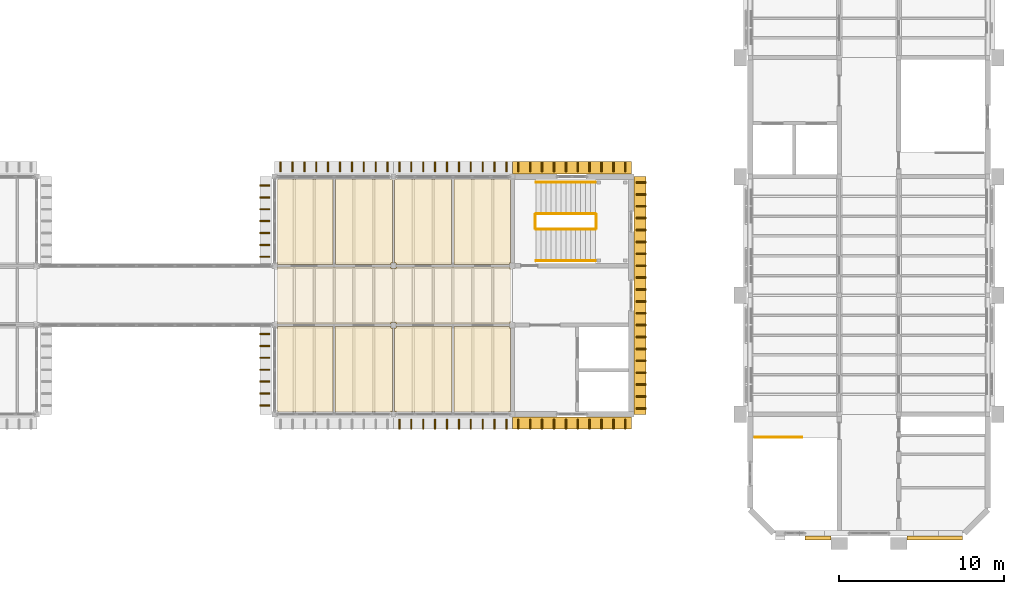
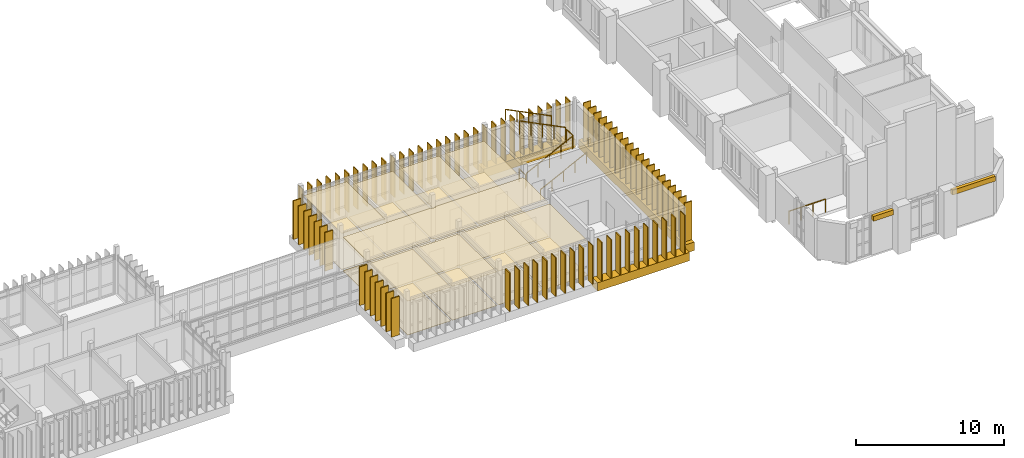
# One storey, part 65 of 71: 107 coverings, 7 railings.
"""IFC4 building model written with IfcOpenShell, lengths in metres."""

import ifcopenshell
import ifcopenshell.guid

model = None  # the IFC model being written
_history = None  # IfcOwnerHistory: only IFC2X3 demands one
_inside = {}  # id of a spatial element -> (the spatial element, [elements in it])
_under = {}  # id of a project, library or spatial element -> (it, [spatial elements below it])
_declared = {}  # id of a project -> (the project, [libraries it declares])
_typed = {}  # id of a type object -> (the type object, [elements of that type])
_made_of = {}  # id of a material, layer set ... -> (it, [elements and type objects made of it])


def new_model(schema):
    """Start an empty IFC model of exactly this schema.

    Asked for "IFC4X3", IfcOpenShell would pick the latest addendum, in which some entities
    have other attributes; the version numbers below select the first issue.
    IFC2X3 requires an IfcOwnerHistory on every rooted entity: one is made here for all.
    """
    global model, _history
    if schema == "IFC4X3":
        model = ifcopenshell.file(schema_version=(4, 3, 0, 0))
    else:
        model = ifcopenshell.file(schema=schema)
    _inside.clear()
    _under.clear()
    _declared.clear()
    _typed.clear()
    _made_of.clear()
    _history = None
    if model.schema == "IFC2X3":
        org = make("IfcOrganization", Name="unknown")
        user = make(
            "IfcPersonAndOrganization",
            ThePerson=make("IfcPerson", FamilyName="unknown"),
            TheOrganization=org,
        )
        app = make(
            "IfcApplication",
            ApplicationDeveloper=org,
            Version="unknown",
            ApplicationFullName="unknown",
            ApplicationIdentifier="unknown",
        )
        _history = make(
            "IfcOwnerHistory",
            OwningUser=user,
            OwningApplication=app,
            ChangeAction="ADDED",
            CreationDate=0,
        )
    return model


def make(cls, **values):
    """One entity of the class cls with the attributes given. An attribute that is None is left unset."""
    return model.create_entity(
        cls, **{name: value for name, value in values.items() if value is not None}
    )


def rooted(cls, **values):
    """An entity with a GlobalId (a new one), such as an element, a storey or a relation."""
    return make(cls, GlobalId=ifcopenshell.guid.new(), OwnerHistory=_history, **values)


def si_unit(unit_type, name, prefix=None):
    """IfcSIUnit, for example si_unit("LENGTHUNIT", "METRE", prefix="MILLI")."""
    return make("IfcSIUnit", UnitType=unit_type, Prefix=prefix, Name=name)


def assignment(units):
    """IfcUnitAssignment: the units of a project."""
    return None if units is None else make("IfcUnitAssignment", Units=units)


def point(xyz):
    """IfcCartesianPoint."""
    return None if xyz is None else make("IfcCartesianPoint", Coordinates=xyz)


def direction(xyz):
    """IfcDirection."""
    return None if xyz is None else make("IfcDirection", DirectionRatios=xyz)


def frame(location, z_axis=None, x_axis=None):
    """IfcAxis2Placement3D, a coordinate frame: its origin and axes. An axis left out is left unset."""
    return make(
        "IfcAxis2Placement3D",
        Location=point(location),
        Axis=direction(z_axis),
        RefDirection=direction(x_axis),
    )


def frame_2d(location, x_axis=None):
    """IfcAxis2Placement2D, a coordinate frame in the plane: its origin and x axis."""
    return make(
        "IfcAxis2Placement2D", Location=point(location), RefDirection=direction(x_axis)
    )


def origin():
    """The frame at (0, 0, 0) with its axes left unset."""
    return frame((0.0, 0.0, 0.0))


def origin_2d():
    """The frame at (0, 0) in the plane with its x axis left unset."""
    return frame_2d((0.0, 0.0))


def place(relative_to, where):
    """IfcLocalPlacement: puts the frame where relative to a parent placement (None: the world)."""
    return make(
        "IfcLocalPlacement", PlacementRelTo=relative_to, RelativePlacement=where
    )


def context(
    kind, dimensions, precision=None, world=None, true_north=None, identifier=None
):
    """IfcGeometricRepresentationContext, for example the 3D "Model" context."""
    return make(
        "IfcGeometricRepresentationContext",
        ContextIdentifier=identifier,
        ContextType=kind,
        CoordinateSpaceDimension=dimensions,
        Precision=precision,
        WorldCoordinateSystem=world,
        TrueNorth=true_north,
    )


def subcontext(parent, identifier, kind, view, scale=None):
    """IfcGeometricRepresentationSubContext, for example "Body" below "Model"."""
    return make(
        "IfcGeometricRepresentationSubContext",
        ContextIdentifier=identifier,
        ContextType=kind,
        ParentContext=parent,
        TargetScale=scale,
        TargetView=view,
    )


def project(units=None, contexts=None):
    """IfcProject with its units and contexts."""
    return rooted(
        "IfcProject",
        Name="project",
        RepresentationContexts=contexts,
        UnitsInContext=assignment(units),
    )


def spatial(cls, under=None, at=None, **own):
    """A site, building, storey or space (cls), placed at a placement, below another one or the project."""
    s = rooted(cls, ObjectPlacement=at, **own)
    if under is not None:
        _under.setdefault(under.id(), (under, []))[1].append(s)
    return s


def polyline(points):
    """IfcPolyline through the points."""
    return make("IfcPolyline", Points=[point(p) for p in points])


def profile(cls, at=None, kind="AREA", **sizes):
    """A parametric profile (cls). Its sizes go by their IFC names, for example OverallWidth=200.0."""
    return make(cls, ProfileType=kind, Position=at, **sizes)


def rectangle(**sizes):
    """IfcRectangleProfileDef."""
    return profile("IfcRectangleProfileDef", **sizes)


def circle(**sizes):
    """IfcCircleProfileDef."""
    return profile("IfcCircleProfileDef", **sizes)


def outline(outer, holes=None, kind="AREA"):
    """IfcArbitraryClosedProfileDef: a profile drawn as a closed curve; with holes, ...WithVoids."""
    if holes is None:
        return make("IfcArbitraryClosedProfileDef", ProfileType=kind, OuterCurve=outer)
    return make(
        "IfcArbitraryProfileDefWithVoids",
        ProfileType=kind,
        OuterCurve=outer,
        InnerCurves=holes,
    )


def extrude(swept, where, along, depth):
    """IfcExtrudedAreaSolid: the profile swept, set in the frame where, extruded along a direction by depth."""
    return make(
        "IfcExtrudedAreaSolid",
        SweptArea=swept,
        Position=where,
        ExtrudedDirection=direction(along),
        Depth=depth,
    )


def shape(context_of_items, identifier, shape_type, items):
    """IfcShapeRepresentation: the items that make up one representation, for example the "Body"."""
    return make(
        "IfcShapeRepresentation",
        ContextOfItems=context_of_items,
        RepresentationIdentifier=identifier,
        RepresentationType=shape_type,
        Items=items,
    )


def material(Name=None, Category=None):
    """IfcMaterial."""
    return make("IfcMaterial", Name=Name, Category=Category)


def layer(
    of_material, thickness, ventilated=None, Name=None, Category=None, Priority=None
):
    """IfcMaterialLayer: one layer of a wall or slab, of a material (None: an air gap)."""
    return make(
        "IfcMaterialLayer",
        Material=of_material,
        LayerThickness=thickness,
        IsVentilated=ventilated,
        Name=Name,
        Category=Category,
        Priority=Priority,
    )


def layer_set(layers, Name=None):
    """IfcMaterialLayerSet."""
    return make("IfcMaterialLayerSet", MaterialLayers=layers, LayerSetName=Name)


def made_of(thing, what):
    """Note that an element or type object is made of a material, layer set ...; save() writes the relation."""
    if what is not None:
        _made_of.setdefault(what.id(), (what, []))[1].append(thing)
    return thing


def type_object(cls, material=None, **own):
    """A type object (cls), such as IfcWallType, which elements share."""
    return made_of(rooted(cls, **own), material)


def element(
    cls,
    number,
    at=None,
    inside=None,
    cuts=None,
    type_object=None,
    material=None,
    context=None,
    identifier="Body",
    shape_type=None,
    held_by="IfcProductDefinitionShape",
    body=None,
    shapes=None,
    **own,
):
    """One element of the class cls, such as IfcWall. Its Tag is "e" and its number.

    at: its placement. inside: the storey or other place that contains it. cuts: it is an
    opening in that element (IfcRelVoidsElement). A single representation is given by context,
    identifier, shape_type and body (its items); several are given by shapes. held_by: the class
    of the entity that holds the representations. save() writes the other relations.
    """
    e = rooted(cls, Tag="e%d" % number, ObjectPlacement=at, **own)
    if body is not None:
        shapes = [shape(context, identifier, shape_type, body)]
    if shapes is not None:
        e.Representation = make(held_by, Representations=shapes)
    if inside is not None:
        _inside.setdefault(inside.id(), (inside, []))[1].append(e)
    if cuts is not None:
        rooted(
            "IfcRelVoidsElement", RelatingBuildingElement=cuts, RelatedOpeningElement=e
        )
    if type_object is not None:
        _typed.setdefault(type_object.id(), (type_object, []))[1].append(e)
    return made_of(e, material)


def aggregate(whole, parts):
    """IfcRelAggregates: a whole, such as a stair, and the parts it consists of."""
    return rooted("IfcRelAggregates", RelatingObject=whole, RelatedObjects=parts)


def save(model, path):
    """Write the relations noted so far, then the file.

    IfcRelAggregates (storeys below a building ...), IfcRelContainedInSpatialStructure (elements
    in a storey), IfcRelDefinesByType, IfcRelAssociatesMaterial and IfcRelDeclares: one each for
    every whole, place, type object, material and project.
    """
    for whole, parts in _under.values():
        aggregate(whole, parts)
    for where, things in _inside.values():
        rooted(
            "IfcRelContainedInSpatialStructure",
            RelatedElements=things,
            RelatingStructure=where,
        )
    for kind, things in _typed.values():
        rooted("IfcRelDefinesByType", RelatedObjects=things, RelatingType=kind)
    for what, things in _made_of.values():
        rooted("IfcRelAssociatesMaterial", RelatedObjects=things, RelatingMaterial=what)
    for by, libraries in _declared.values():
        rooted("IfcRelDeclares", RelatingContext=by, RelatedDefinitions=libraries)
    model.write(path)


model = new_model("IFC4")

# Units and contexts
model_context = context("Model", 3, precision=1e-05, world=origin(), true_north=direction((0.0, 1.0)))
body_context = subcontext(model_context, "Body", "Model", "MODEL_VIEW")
ifc_project = project(units=[si_unit("LENGTHUNIT", "METRE"), si_unit("AREAUNIT", "SQUARE_METRE"), si_unit("VOLUMEUNIT", "CUBIC_METRE"), si_unit("PLANEANGLEUNIT", "RADIAN"), si_unit("MASSUNIT", "GRAM", prefix="KILO")], contexts=[model_context])

# Site, building, storey
site_placement = place(None, origin())
site = spatial("IfcSite", under=ifc_project, at=site_placement, CompositionType="ELEMENT")
building_placement = place(site_placement, origin())
building = spatial("IfcBuilding", under=site, at=building_placement, Name="Mazhai Court Health Centre", CompositionType="ELEMENT")
storey_placement = place(building_placement, frame((0.0, 0.0, 10.199951171875)))
storey = spatial("IfcBuildingStorey", under=building, at=storey_placement, Name="L02", CompositionType="ELEMENT", Elevation=10.199951171875)

# Coverings
ifc_material_1 = material(Name="Clay brick masonry", Category="masonry")
ifc_layer_1 = layer(ifc_material_1, 0.25)
ifc_layer_set_1 = layer_set([ifc_layer_1], Name="BRICK BAND 250")
covering_type_1 = type_object("IfcCoveringType", Name="BRICK BAND 250", PredefinedType="MOLDING", material=ifc_layer_set_1)
covering_1_placement = place(storey_placement, frame((0.0, 0.0, 2.949951171875)))
element("IfcCovering", 1, at=covering_1_placement, inside=storey, type_object=covering_type_1, Name="EB-V6-L02-Sp1-1", PredefinedType="MOLDING", context=body_context, shape_type="SweptSolid", body=[
    extrude(outline(polyline([(140.699951171875, 6.034912109375), (139.1201171875, 6.034912109375), (139.1201171875, 5.784912109375), (140.699951171875, 5.784912109375), (140.699951171875, 6.034912109375)])), origin(), (0.0, 0.0, 1.0), 0.400146484375),
])
covering_2_placement = place(storey_placement, frame((0.0, 0.0, 2.949951171875)))
element("IfcCovering", 2, at=covering_2_placement, inside=storey, type_object=covering_type_1, Name="EB-V6-L02-Sp2-0", PredefinedType="MOLDING", context=body_context, shape_type="SweptSolid", body=[
    extrude(outline(polyline([(148.6689453125, 6.034912109375), (145.300048828125, 6.034912109375), (145.300048828125, 5.784912109375), (148.6689453125, 5.784912109375), (148.6689453125, 6.034912109375)])), origin(), (0.0, 0.0, 1.0), 0.400146484375),
])
ifc_material_2 = material(Name="Gypsum plasterboard ceiling")
ifc_layer_2 = layer(ifc_material_2, 0.02001953125)
ifc_layer_set_2 = layer_set([ifc_layer_2], Name="CEILING GYPSUM BOARD 20")
covering_type_2 = type_object("IfcCoveringType", Name="CEILING GYPSUM BOARD 20", PredefinedType="CEILING", material=ifc_layer_set_2)
covering_3_placement = place(storey_placement, frame((0.0, 0.0, 2.800048828125)))
element("IfcCovering", 3, at=covering_3_placement, inside=storey, type_object=covering_type_2, Name="ceil-V4-L02-A1-ophthalmology-clinic", PredefinedType="CEILING", context=body_context, shape_type="SweptSolid", body=[
    extrude(outline(polyline([(110.53759765625, 13.56494140625), (110.53759765625, 18.72509765625), (107.1650390625, 18.72509765625), (107.1650390625, 13.56494140625), (110.53759765625, 13.56494140625)])), origin(), (0.0, 0.0, 1.0), 0.02001953125),
])
covering_4_placement = place(storey_placement, frame((0.0, 0.0, 2.800048828125)))
element("IfcCovering", 4, at=covering_4_placement, inside=storey, type_object=covering_type_2, Name="ceil-V4-L02-A1-ophthalmic-diagnostics-room", PredefinedType="CEILING", context=body_context, shape_type="SweptSolid", body=[
    extrude(outline(polyline([(114.137451171875, 18.639892578125), (114.0400390625, 18.639892578125), (114.0400390625, 18.72509765625), (110.66259765625, 18.72509765625), (110.66259765625, 13.56494140625), (114.137451171875, 13.56494140625), (114.137451171875, 18.639892578125)])), origin(), (0.0, 0.0, 1.0), 0.02001953125),
])
covering_5_placement = place(storey_placement, frame((0.0, 0.0, 2.800048828125)))
element("IfcCovering", 5, at=covering_5_placement, inside=storey, type_object=covering_type_2, Name="ceil-V4-L02-A1-orthopaedics-clinic", PredefinedType="CEILING", context=body_context, shape_type="SweptSolid", body=[
    extrude(outline(polyline([(114.360107421875, 18.72509765625), (114.360107421875, 18.639892578125), (114.262451171875, 18.639892578125), (114.262451171875, 13.56494140625), (117.737548828125, 13.56494140625), (117.737548828125, 18.72509765625), (114.360107421875, 18.72509765625)])), origin(), (0.0, 0.0, 1.0), 0.02001953125),
])
covering_6_placement = place(storey_placement, frame((0.0, 0.0, 2.800048828125)))
element("IfcCovering", 6, at=covering_6_placement, inside=storey, type_object=covering_type_2, Name="ceil-V4-L02-A1-dermatology-clinic", PredefinedType="CEILING", context=body_context, shape_type="SweptSolid", body=[
    extrude(outline(polyline([(121.27490234375, 18.639892578125), (121.239990234375, 18.639892578125), (121.239990234375, 18.72509765625), (117.862548828125, 18.72509765625), (117.862548828125, 13.56494140625), (121.27490234375, 13.56494140625), (121.27490234375, 18.639892578125)])), origin(), (0.0, 0.0, 1.0), 0.02001953125),
])
ifc_material_3 = material(Name="Mineral fibre ceiling tile")
ifc_layer_3 = layer(ifc_material_3, 0.014892578125)
ifc_layer_set_3 = layer_set([ifc_layer_3], Name="CEILING MINERAL FIBRE TILE 15")
covering_type_3 = type_object("IfcCoveringType", Name="CEILING MINERAL FIBRE TILE 15", PredefinedType="CEILING", material=ifc_layer_set_3)
covering_7_placement = place(storey_placement, frame((0.0, 0.0, 3.0)))
element("IfcCovering", 7, at=covering_7_placement, inside=storey, type_object=covering_type_3, Name="ceil-V4-L02-B1-waiting-alcove", PredefinedType="CEILING", context=body_context, shape_type="SweptSolid", body=[
    extrude(outline(polyline([(110.52490234375, 22.47509765625), (110.52490234375, 27.635009765625), (107.1650390625, 27.635009765625), (107.1650390625, 22.47509765625), (110.52490234375, 22.47509765625)])), origin(), (0.0, 0.0, 1.0), 0.01513671875),
])
covering_8_placement = place(storey_placement, frame((0.0, 0.0, 2.800048828125)))
element("IfcCovering", 8, at=covering_8_placement, inside=storey, type_object=covering_type_3, Name="ceil-V4-L02-corridor-1", PredefinedType="CEILING", context=body_context, shape_type="SweptSolid", body=[
    extrude(outline(polyline([(121.27490234375, 22.239990234375), (121.239990234375, 22.239990234375), (121.239990234375, 22.324951171875), (114.360107421875, 22.324951171875), (114.360107421875, 22.239990234375), (114.0400390625, 22.239990234375), (114.0400390625, 22.324951171875), (107.1650390625, 22.324951171875), (107.1650390625, 18.875), (114.0400390625, 18.875), (114.0400390625, 18.9599609375), (114.360107421875, 18.9599609375), (114.360107421875, 18.875), (121.239990234375, 18.875), (121.239990234375, 18.9599609375), (121.27490234375, 18.9599609375), (121.27490234375, 22.239990234375)])), origin(), (0.0, 0.0, 1.0), 0.014892578125),
])
ifc_material_4 = material(Name="Moisture resistant gypsum ceiling")
ifc_layer_4 = layer(ifc_material_4, 0.014892578125)
ifc_layer_set_4 = layer_set([ifc_layer_4], Name="CEILING MOISTURE RESISTANT BOARD 15")
covering_type_4 = type_object("IfcCoveringType", Name="CEILING MOISTURE RESISTANT BOARD 15", PredefinedType="CEILING", material=ifc_layer_set_4)
covering_9_placement = place(storey_placement, frame((0.0, 0.0, 2.60009765625)))
element("IfcCovering", 9, at=covering_9_placement, inside=storey, type_object=covering_type_4, Name="ceil-V4-L02-B1-accessible-wc", PredefinedType="CEILING", context=body_context, shape_type="SweptSolid", body=[
    extrude(outline(polyline([(114.0400390625, 22.47509765625), (114.0400390625, 22.56005859375), (114.125, 22.56005859375), (114.125, 27.635009765625), (110.675048828125, 27.635009765625), (110.675048828125, 22.47509765625), (114.0400390625, 22.47509765625)])), origin(), (0.0, 0.0, 1.0), 0.014892578125),
])
covering_10_placement = place(storey_placement, frame((0.0, 0.0, 2.60009765625)))
element("IfcCovering", 10, at=covering_10_placement, inside=storey, type_object=covering_type_4, Name="ceil-V4-L02-B1-wc-male", PredefinedType="CEILING", context=body_context, shape_type="SweptSolid", body=[
    extrude(outline(polyline([(114.27490234375, 22.56005859375), (114.360107421875, 22.56005859375), (114.360107421875, 22.47509765625), (117.72509765625, 22.47509765625), (117.72509765625, 27.635009765625), (114.27490234375, 27.635009765625), (114.27490234375, 22.56005859375)])), origin(), (0.0, 0.0, 1.0), 0.014892578125),
])
covering_11_placement = place(storey_placement, frame((0.0, 0.0, 2.60009765625)))
element("IfcCovering", 11, at=covering_11_placement, inside=storey, type_object=covering_type_4, Name="ceil-V4-L02-B1-wc-female", PredefinedType="CEILING", context=body_context, shape_type="SweptSolid", body=[
    extrude(outline(polyline([(121.239990234375, 22.47509765625), (121.239990234375, 22.56005859375), (121.27490234375, 22.56005859375), (121.27490234375, 27.635009765625), (117.875, 27.635009765625), (117.875, 22.47509765625), (121.239990234375, 22.47509765625)])), origin(), (0.0, 0.0, 1.0), 0.014892578125),
])
ifc_material_5 = material(Name="Glulam GL24h", Category="wood")
covering_type_5 = type_object("IfcCoveringType", Name="FIN RAIL CLADDING 735x700", PredefinedType="CLADDING", material=ifc_material_5)
for number, where, z_axis, x_axis, name in (
    (12, (125.0, 12.866943359375, -0.69970703125), (0.0, 0.0, 1.0), (1.0, 0.0, 0.0), "FR-V4-A5-L02"),
    (13, (125.0, 28.33203125, -0.69970703125), (0.0, 0.0, 1.0), (1.0, 0.0, 0.0), "FR-V4-B5-L02"),
):
    element("IfcCovering", number, at=place(storey_placement, frame(where, z_axis=z_axis, x_axis=x_axis)), inside=storey, type_object=covering_type_5, Name=name, PredefinedType="CLADDING", context=body_context, shape_type="SweptSolid", body=[
        extrude(rectangle(XDim=7.199951171875, YDim=0.735107421875, at=origin_2d()), origin(), (0.0, 0.0, 1.0), 0.699951171875),
    ])
covering_12_placement = place(storey_placement, frame((129.132080078125, 20.60009765625, -0.69970703125), z_axis=(0.0, 0.0, 1.0), x_axis=(1.0, 0.0, 0.0)))
element("IfcCovering", 14, at=covering_12_placement, inside=storey, type_object=covering_type_5, Name="FR-V4-E-L02", PredefinedType="CLADDING", context=body_context, shape_type="SweptSolid", body=[
    extrude(rectangle(XDim=0.735107421875, YDim=14.39990234375, at=origin_2d()), origin(), (0.0, 0.0, 1.0), 0.699951171875),
])
ifc_material_6 = material(Name="Teak timber", Category="wood")
covering_type_6 = type_object("IfcCoveringType", Name="FIN TIMBER 80x600", PredefinedType="CLADDING", material=ifc_material_6)
for number, where, z_axis, x_axis, name in (
    (15, (114.56005859375, 12.800048828125, 0.0), (0.0, 0.0, 1.0), (1.0, 0.0, 0.0), "FN-V4-A4-L02-00"),
    (16, (115.280029296875, 12.800048828125, 0.0), (0.0, 0.0, 1.0), (1.0, 0.0, 0.0), "FN-V4-A4-L02-01"),
    (17, (116.0, 12.800048828125, 0.0), (0.0, 0.0, 1.0), (1.0, 0.0, 0.0), "FN-V4-A4-L02-02"),
    (18, (116.719970703125, 12.800048828125, 0.0), (0.0, 0.0, 1.0), (1.0, 0.0, 0.0), "FN-V4-A4-L02-03"),
    (19, (117.43994140625, 12.800048828125, 0.0), (0.0, 0.0, 1.0), (1.0, 0.0, 0.0), "FN-V4-A4-L02-04"),
    (20, (118.159912109375, 12.800048828125, 0.0), (0.0, 0.0, 1.0), (1.0, 0.0, 0.0), "FN-V4-A4-L02-05"),
    (21, (118.8798828125, 12.800048828125, 0.0), (0.0, 0.0, 1.0), (1.0, 0.0, 0.0), "FN-V4-A4-L02-06"),
    (22, (119.60009765625, 12.800048828125, 0.0), (0.0, 0.0, 1.0), (1.0, 0.0, 0.0), "FN-V4-A4-L02-07"),
    (23, (120.320068359375, 12.800048828125, 0.0), (0.0, 0.0, 1.0), (1.0, 0.0, 0.0), "FN-V4-A4-L02-08"),
    (24, (121.0400390625, 12.800048828125, 0.0), (0.0, 0.0, 1.0), (1.0, 0.0, 0.0), "FN-V4-A4-L02-09"),
    (25, (121.760009765625, 12.800048828125, 0.0), (0.0, 0.0, 1.0), (1.0, 0.0, 0.0), "FN-V4-A5-L02-00"),
    (26, (122.47998046875, 12.800048828125, 0.0), (0.0, 0.0, 1.0), (1.0, 0.0, 0.0), "FN-V4-A5-L02-01"),
    (27, (123.199951171875, 12.800048828125, 0.0), (0.0, 0.0, 1.0), (1.0, 0.0, 0.0), "FN-V4-A5-L02-02"),
    (28, (123.919921875, 12.800048828125, 0.0), (0.0, 0.0, 1.0), (1.0, 0.0, 0.0), "FN-V4-A5-L02-03"),
    (29, (124.639892578125, 12.800048828125, 0.0), (0.0, 0.0, 1.0), (1.0, 0.0, 0.0), "FN-V4-A5-L02-04"),
    (30, (125.360107421875, 12.800048828125, 0.0), (0.0, 0.0, 1.0), (1.0, 0.0, 0.0), "FN-V4-A5-L02-05"),
    (31, (126.080078125, 12.800048828125, 0.0), (0.0, 0.0, 1.0), (1.0, 0.0, 0.0), "FN-V4-A5-L02-06"),
    (32, (126.800048828125, 12.800048828125, 0.0), (0.0, 0.0, 1.0), (1.0, 0.0, 0.0), "FN-V4-A5-L02-07"),
    (33, (127.52001953125, 12.800048828125, 0.0), (0.0, 0.0, 1.0), (1.0, 0.0, 0.0), "FN-V4-A5-L02-08"),
    (34, (128.239990234375, 12.800048828125, 0.0), (0.0, 0.0, 1.0), (1.0, 0.0, 0.0), "FN-V4-A5-L02-09"),
    (35, (107.360107421875, 28.39990234375, 0.0), (0.0, 0.0, 1.0), (1.0, 0.0, 0.0), "FN-V4-B3-L02-00"),
    (36, (108.080078125, 28.39990234375, 0.0), (0.0, 0.0, 1.0), (1.0, 0.0, 0.0), "FN-V4-B3-L02-01"),
    (37, (108.800048828125, 28.39990234375, 0.0), (0.0, 0.0, 1.0), (1.0, 0.0, 0.0), "FN-V4-B3-L02-02"),
    (38, (109.52001953125, 28.39990234375, 0.0), (0.0, 0.0, 1.0), (1.0, 0.0, 0.0), "FN-V4-B3-L02-03"),
    (39, (110.239990234375, 28.39990234375, 0.0), (0.0, 0.0, 1.0), (1.0, 0.0, 0.0), "FN-V4-B3-L02-04"),
    (40, (110.9599609375, 28.39990234375, 0.0), (0.0, 0.0, 1.0), (1.0, 0.0, 0.0), "FN-V4-B3-L02-05"),
    (41, (111.679931640625, 28.39990234375, 0.0), (0.0, 0.0, 1.0), (1.0, 0.0, 0.0), "FN-V4-B3-L02-06"),
    (42, (112.39990234375, 28.39990234375, 0.0), (0.0, 0.0, 1.0), (1.0, 0.0, 0.0), "FN-V4-B3-L02-07"),
    (43, (113.1201171875, 28.39990234375, 0.0), (0.0, 0.0, 1.0), (1.0, 0.0, 0.0), "FN-V4-B3-L02-08"),
    (44, (113.840087890625, 28.39990234375, 0.0), (0.0, 0.0, 1.0), (1.0, 0.0, 0.0), "FN-V4-B3-L02-09"),
    (45, (114.56005859375, 28.39990234375, 0.0), (0.0, 0.0, 1.0), (1.0, 0.0, 0.0), "FN-V4-B4-L02-00"),
    (46, (115.280029296875, 28.39990234375, 0.0), (0.0, 0.0, 1.0), (1.0, 0.0, 0.0), "FN-V4-B4-L02-01"),
    (47, (116.0, 28.39990234375, 0.0), (0.0, 0.0, 1.0), (1.0, 0.0, 0.0), "FN-V4-B4-L02-02"),
    (48, (116.719970703125, 28.39990234375, 0.0), (0.0, 0.0, 1.0), (1.0, 0.0, 0.0), "FN-V4-B4-L02-03"),
    (49, (117.43994140625, 28.39990234375, 0.0), (0.0, 0.0, 1.0), (1.0, 0.0, 0.0), "FN-V4-B4-L02-04"),
    (50, (118.159912109375, 28.39990234375, 0.0), (0.0, 0.0, 1.0), (1.0, 0.0, 0.0), "FN-V4-B4-L02-05"),
    (51, (118.8798828125, 28.39990234375, 0.0), (0.0, 0.0, 1.0), (1.0, 0.0, 0.0), "FN-V4-B4-L02-06"),
    (52, (119.60009765625, 28.39990234375, 0.0), (0.0, 0.0, 1.0), (1.0, 0.0, 0.0), "FN-V4-B4-L02-07"),
    (53, (120.320068359375, 28.39990234375, 0.0), (0.0, 0.0, 1.0), (1.0, 0.0, 0.0), "FN-V4-B4-L02-08"),
    (54, (121.0400390625, 28.39990234375, 0.0), (0.0, 0.0, 1.0), (1.0, 0.0, 0.0), "FN-V4-B4-L02-09"),
    (55, (121.760009765625, 28.39990234375, 0.0), (0.0, 0.0, 1.0), (1.0, 0.0, 0.0), "FN-V4-B5-L02-00"),
    (56, (122.47998046875, 28.39990234375, 0.0), (0.0, 0.0, 1.0), (1.0, 0.0, 0.0), "FN-V4-B5-L02-01"),
    (57, (123.199951171875, 28.39990234375, 0.0), (0.0, 0.0, 1.0), (1.0, 0.0, 0.0), "FN-V4-B5-L02-02"),
    (58, (123.919921875, 28.39990234375, 0.0), (0.0, 0.0, 1.0), (1.0, 0.0, 0.0), "FN-V4-B5-L02-03"),
    (59, (124.639892578125, 28.39990234375, 0.0), (0.0, 0.0, 1.0), (1.0, 0.0, 0.0), "FN-V4-B5-L02-04"),
    (60, (125.360107421875, 28.39990234375, 0.0), (0.0, 0.0, 1.0), (1.0, 0.0, 0.0), "FN-V4-B5-L02-05"),
    (61, (126.080078125, 28.39990234375, 0.0), (0.0, 0.0, 1.0), (1.0, 0.0, 0.0), "FN-V4-B5-L02-06"),
    (62, (126.800048828125, 28.39990234375, 0.0), (0.0, 0.0, 1.0), (1.0, 0.0, 0.0), "FN-V4-B5-L02-07"),
    (63, (127.52001953125, 28.39990234375, 0.0), (0.0, 0.0, 1.0), (1.0, 0.0, 0.0), "FN-V4-B5-L02-08"),
    (64, (128.239990234375, 28.39990234375, 0.0), (0.0, 0.0, 1.0), (1.0, 0.0, 0.0), "FN-V4-B5-L02-09"),
    (65, (129.199951171875, 13.760009765625, 0.0), (0.0, 0.0, 1.0), (0.0, 1.0, 0.0), "FN-V4-E-L02-00"),
    (66, (129.199951171875, 14.47998046875, 0.0), (0.0, 0.0, 1.0), (0.0, 1.0, 0.0), "FN-V4-E-L02-01"),
    (67, (129.199951171875, 15.199951171875, 0.0), (0.0, 0.0, 1.0), (0.0, 1.0, 0.0), "FN-V4-E-L02-02"),
    (68, (129.199951171875, 15.919921875, 0.0), (0.0, 0.0, 1.0), (0.0, 1.0, 0.0), "FN-V4-E-L02-03"),
    (69, (129.199951171875, 16.639892578125, 0.0), (0.0, 0.0, 1.0), (0.0, 1.0, 0.0), "FN-V4-E-L02-04"),
    (70, (129.199951171875, 17.360107421875, 0.0), (0.0, 0.0, 1.0), (0.0, 1.0, 0.0), "FN-V4-E-L02-05"),
    (71, (129.199951171875, 18.080078125, 0.0), (0.0, 0.0, 1.0), (0.0, 1.0, 0.0), "FN-V4-E-L02-06"),
    (72, (129.199951171875, 18.800048828125, 0.0), (0.0, 0.0, 1.0), (0.0, 1.0, 0.0), "FN-V4-E-L02-07"),
    (73, (129.199951171875, 19.52001953125, 0.0), (0.0, 0.0, 1.0), (0.0, 1.0, 0.0), "FN-V4-E-L02-08"),
    (74, (129.199951171875, 20.239990234375, 0.0), (0.0, 0.0, 1.0), (0.0, 1.0, 0.0), "FN-V4-E-L02-09"),
    (75, (129.199951171875, 20.9599609375, 0.0), (0.0, 0.0, 1.0), (0.0, 1.0, 0.0), "FN-V4-E-L02-10"),
    (76, (129.199951171875, 21.679931640625, 0.0), (0.0, 0.0, 1.0), (0.0, 1.0, 0.0), "FN-V4-E-L02-11"),
    (77, (129.199951171875, 22.39990234375, 0.0), (0.0, 0.0, 1.0), (0.0, 1.0, 0.0), "FN-V4-E-L02-12"),
    (78, (129.199951171875, 23.1201171875, 0.0), (0.0, 0.0, 1.0), (0.0, 1.0, 0.0), "FN-V4-E-L02-13"),
    (79, (129.199951171875, 23.840087890625, 0.0), (0.0, 0.0, 1.0), (0.0, 1.0, 0.0), "FN-V4-E-L02-14"),
    (80, (129.199951171875, 24.56005859375, 0.0), (0.0, 0.0, 1.0), (0.0, 1.0, 0.0), "FN-V4-E-L02-15"),
    (81, (129.199951171875, 25.280029296875, 0.0), (0.0, 0.0, 1.0), (0.0, 1.0, 0.0), "FN-V4-E-L02-16"),
    (82, (129.199951171875, 26.0, 0.0), (0.0, 0.0, 1.0), (0.0, 1.0, 0.0), "FN-V4-E-L02-17"),
    (83, (129.199951171875, 26.719970703125, 0.0), (0.0, 0.0, 1.0), (0.0, 1.0, 0.0), "FN-V4-E-L02-18"),
    (84, (129.199951171875, 27.43994140625, 0.0), (0.0, 0.0, 1.0), (0.0, 1.0, 0.0), "FN-V4-E-L02-19"),
    (85, (106.39990234375, 13.93994140625, 0.0), (0.0, 0.0, 1.0), (0.0, 1.0, 0.0), "FN-V4-CW5-0-L02-00"),
    (86, (106.39990234375, 14.659912109375, 0.0), (0.0, 0.0, 1.0), (0.0, 1.0, 0.0), "FN-V4-CW5-0-L02-01"),
    (87, (106.39990234375, 15.3798828125, 0.0), (0.0, 0.0, 1.0), (0.0, 1.0, 0.0), "FN-V4-CW5-0-L02-02"),
    (88, (106.39990234375, 16.10009765625, 0.0), (0.0, 0.0, 1.0), (0.0, 1.0, 0.0), "FN-V4-CW5-0-L02-03"),
    (89, (106.39990234375, 16.820068359375, 0.0), (0.0, 0.0, 1.0), (0.0, 1.0, 0.0), "FN-V4-CW5-0-L02-04"),
    (90, (106.39990234375, 17.5400390625, 0.0), (0.0, 0.0, 1.0), (0.0, 1.0, 0.0), "FN-V4-CW5-0-L02-05"),
    (91, (106.39990234375, 18.260009765625, 0.0), (0.0, 0.0, 1.0), (0.0, 1.0, 0.0), "FN-V4-CW5-0-L02-06"),
    (92, (106.39990234375, 22.93994140625, 0.0), (0.0, 0.0, 1.0), (0.0, 1.0, 0.0), "FN-V4-CW5-1-L02-00"),
    (93, (106.39990234375, 23.659912109375, 0.0), (0.0, 0.0, 1.0), (0.0, 1.0, 0.0), "FN-V4-CW5-1-L02-01"),
    (94, (106.39990234375, 24.3798828125, 0.0), (0.0, 0.0, 1.0), (0.0, 1.0, 0.0), "FN-V4-CW5-1-L02-02"),
    (95, (106.39990234375, 25.10009765625, 0.0), (0.0, 0.0, 1.0), (0.0, 1.0, 0.0), "FN-V4-CW5-1-L02-03"),
    (96, (106.39990234375, 25.820068359375, 0.0), (0.0, 0.0, 1.0), (0.0, 1.0, 0.0), "FN-V4-CW5-1-L02-04"),
    (97, (106.39990234375, 26.5400390625, 0.0), (0.0, 0.0, 1.0), (0.0, 1.0, 0.0), "FN-V4-CW5-1-L02-05"),
    (98, (106.39990234375, 27.260009765625, 0.0), (0.0, 0.0, 1.0), (0.0, 1.0, 0.0), "FN-V4-CW5-1-L02-06"),
):
    element("IfcCovering", number, at=place(storey_placement, frame(where, z_axis=z_axis, x_axis=x_axis)), inside=storey, type_object=covering_type_6, Name=name, PredefinedType="CLADDING", context=body_context, shape_type="SweptSolid", body=[
        extrude(rectangle(XDim=0.080078125, YDim=0.60009765625, at=origin_2d()), origin(), (0.0, 0.0, 1.0), 3.199951171875),
    ])
ifc_material_7 = material(Name="Heavy duty vinyl flooring")
ifc_layer_5 = layer(ifc_material_7, 0.02001953125)
ifc_layer_set_5 = layer_set([ifc_layer_5], Name="FLOOR FINISH HEAVY DUTY VINYL FLOORING 20")
covering_type_7 = type_object("IfcCoveringType", Name="FLOOR FINISH HEAVY DUTY VINYL FLOORING 20", PredefinedType="FLOORING", material=ifc_layer_set_5)
covering_13_placement = place(storey_placement, origin())
element("IfcCovering", 99, at=covering_13_placement, inside=storey, type_object=covering_type_7, Name="floor-V4-L02-A1-ophthalmology-clinic", PredefinedType="FLOORING", context=body_context, shape_type="SweptSolid", body=[
    extrude(outline(polyline([(110.53759765625, 13.56494140625), (110.53759765625, 18.72509765625), (107.1650390625, 18.72509765625), (107.1650390625, 13.56494140625), (110.53759765625, 13.56494140625)])), origin(), (0.0, 0.0, 1.0), 0.02001953125),
])
covering_14_placement = place(storey_placement, origin())
element("IfcCovering", 100, at=covering_14_placement, inside=storey, type_object=covering_type_7, Name="floor-V4-L02-A1-ophthalmic-diagnostics-room", PredefinedType="FLOORING", context=body_context, shape_type="SweptSolid", body=[
    extrude(outline(polyline([(114.137451171875, 18.639892578125), (114.0400390625, 18.639892578125), (114.0400390625, 18.72509765625), (110.66259765625, 18.72509765625), (110.66259765625, 13.56494140625), (114.137451171875, 13.56494140625), (114.137451171875, 18.639892578125)])), origin(), (0.0, 0.0, 1.0), 0.02001953125),
])
covering_15_placement = place(storey_placement, origin())
element("IfcCovering", 101, at=covering_15_placement, inside=storey, type_object=covering_type_7, Name="floor-V4-L02-A1-orthopaedics-clinic", PredefinedType="FLOORING", context=body_context, shape_type="SweptSolid", body=[
    extrude(outline(polyline([(114.360107421875, 18.72509765625), (114.360107421875, 18.639892578125), (114.262451171875, 18.639892578125), (114.262451171875, 13.56494140625), (117.737548828125, 13.56494140625), (117.737548828125, 18.72509765625), (114.360107421875, 18.72509765625)])), origin(), (0.0, 0.0, 1.0), 0.02001953125),
])
covering_16_placement = place(storey_placement, origin())
element("IfcCovering", 102, at=covering_16_placement, inside=storey, type_object=covering_type_7, Name="floor-V4-L02-A1-dermatology-clinic", PredefinedType="FLOORING", context=body_context, shape_type="SweptSolid", body=[
    extrude(outline(polyline([(121.27490234375, 18.639892578125), (121.239990234375, 18.639892578125), (121.239990234375, 18.72509765625), (117.862548828125, 18.72509765625), (117.862548828125, 13.56494140625), (121.27490234375, 13.56494140625), (121.27490234375, 18.639892578125)])), origin(), (0.0, 0.0, 1.0), 0.02001953125),
])
ifc_material_8 = material(Name="Porcelain tile flooring")
ifc_layer_6 = layer(ifc_material_8, 0.02490234375)
ifc_layer_set_6 = layer_set([ifc_layer_6], Name="FLOOR FINISH PORCELAIN TILE FLOORING 25")
covering_type_8 = type_object("IfcCoveringType", Name="FLOOR FINISH PORCELAIN TILE FLOORING 25", PredefinedType="FLOORING", material=ifc_layer_set_6)
covering_17_placement = place(storey_placement, origin())
element("IfcCovering", 103, at=covering_17_placement, inside=storey, type_object=covering_type_8, Name="floor-V4-L02-B1-accessible-wc", PredefinedType="FLOORING", context=body_context, shape_type="SweptSolid", body=[
    extrude(outline(polyline([(114.0400390625, 22.47509765625), (114.0400390625, 22.56005859375), (114.125, 22.56005859375), (114.125, 27.635009765625), (110.675048828125, 27.635009765625), (110.675048828125, 22.47509765625), (114.0400390625, 22.47509765625)])), origin(), (0.0, 0.0, 1.0), 0.025146484375),
])
covering_18_placement = place(storey_placement, origin())
element("IfcCovering", 104, at=covering_18_placement, inside=storey, type_object=covering_type_8, Name="floor-V4-L02-B1-wc-male", PredefinedType="FLOORING", context=body_context, shape_type="SweptSolid", body=[
    extrude(outline(polyline([(114.27490234375, 22.56005859375), (114.360107421875, 22.56005859375), (114.360107421875, 22.47509765625), (117.72509765625, 22.47509765625), (117.72509765625, 27.635009765625), (114.27490234375, 27.635009765625), (114.27490234375, 22.56005859375)])), origin(), (0.0, 0.0, 1.0), 0.025146484375),
])
covering_19_placement = place(storey_placement, origin())
element("IfcCovering", 105, at=covering_19_placement, inside=storey, type_object=covering_type_8, Name="floor-V4-L02-B1-wc-female", PredefinedType="FLOORING", context=body_context, shape_type="SweptSolid", body=[
    extrude(outline(polyline([(121.239990234375, 22.47509765625), (121.239990234375, 22.56005859375), (121.27490234375, 22.56005859375), (121.27490234375, 27.635009765625), (117.875, 27.635009765625), (117.875, 22.47509765625), (121.239990234375, 22.47509765625)])), origin(), (0.0, 0.0, 1.0), 0.025146484375),
])
ifc_material_9 = material(Name="Terrazzo flooring")
ifc_layer_7 = layer(ifc_material_9, 0.0400390625)
ifc_layer_set_7 = layer_set([ifc_layer_7], Name="FLOOR FINISH TERRAZZO FLOORING 40")
covering_type_9 = type_object("IfcCoveringType", Name="FLOOR FINISH TERRAZZO FLOORING 40", PredefinedType="FLOORING", material=ifc_layer_set_7)
covering_20_placement = place(storey_placement, origin())
element("IfcCovering", 106, at=covering_20_placement, inside=storey, type_object=covering_type_9, Name="floor-V4-L02-B1-waiting-alcove", PredefinedType="FLOORING", context=body_context, shape_type="SweptSolid", body=[
    extrude(outline(polyline([(110.52490234375, 22.47509765625), (110.52490234375, 27.635009765625), (107.1650390625, 27.635009765625), (107.1650390625, 22.47509765625), (110.52490234375, 22.47509765625)])), origin(), (0.0, 0.0, 1.0), 0.0400390625),
])
covering_21_placement = place(storey_placement, origin())
element("IfcCovering", 107, at=covering_21_placement, inside=storey, type_object=covering_type_9, Name="floor-V4-L02-corridor-1", PredefinedType="FLOORING", context=body_context, shape_type="SweptSolid", body=[
    extrude(outline(polyline([(121.27490234375, 22.239990234375), (121.239990234375, 22.239990234375), (121.239990234375, 22.324951171875), (114.360107421875, 22.324951171875), (114.360107421875, 22.239990234375), (114.0400390625, 22.239990234375), (114.0400390625, 22.324951171875), (107.1650390625, 22.324951171875), (107.1650390625, 18.875), (114.0400390625, 18.875), (114.0400390625, 18.9599609375), (114.360107421875, 18.9599609375), (114.360107421875, 18.875), (121.239990234375, 18.875), (121.239990234375, 18.9599609375), (121.27490234375, 18.9599609375), (121.27490234375, 22.239990234375)])), origin(), (0.0, 0.0, 1.0), 0.0400390625),
])

# Railings
ifc_material_10 = material(Name="Steel IS 2062 E250", Category="steel")
railing_type_1 = type_object("IfcRailingType", Name="STAIR GUARD 1100", PredefinedType="GUARDRAIL", material=ifc_material_10)
railing_1_placement = place(storey_placement, frame((122.8349609375, 24.60498046875, 0.150146484375)))
element("IfcRailing", 108, at=railing_1_placement, inside=storey, type_object=railing_type_1, Name="L02 ST7 stair guard 1", PredefinedType="GUARDRAIL", context=body_context, shape_type="SweptSolid", body=[
    extrude(circle(Radius=0.02392578125, at=origin_2d()), frame((0.0, 0.0, 1.076171875), z_axis=(0.894451452574, 0.0, 0.447165069061), x_axis=(0.0, 1.0, 0.0)), (0.0, 0.0, 1.0), 4.02490234375),
    extrude(circle(Radius=0.02099609375, at=origin_2d()), origin(), (0.0, 0.0, 1.0), 1.052001953125),
    extrude(circle(Radius=0.02099609375, at=origin_2d()), frame((0.89990234375, 0.0, 0.449951171875)), (0.0, 0.0, 1.0), 1.052001953125),
    extrude(circle(Radius=0.02099609375, at=origin_2d()), frame((1.800048828125, 0.0, 0.89990234375)), (0.0, 0.0, 1.0), 1.052001953125),
    extrude(circle(Radius=0.02099609375, at=origin_2d()), frame((2.7001953125, 0.0, 1.349853515625)), (0.0, 0.0, 1.0), 1.052001953125),
    extrude(circle(Radius=0.02099609375, at=origin_2d()), frame((3.60009765625, 0.0, 1.7998046875)), (0.0, 0.0, 1.0), 1.052001953125),
])
railing_2_placement = place(storey_placement, frame((126.485107421875, 24.655029296875, 1.949951171875)))
element("IfcRailing", 109, at=railing_2_placement, inside=storey, type_object=railing_type_1, Name="L02 ST7 stair guard 2", PredefinedType="GUARDRAIL", context=body_context, shape_type="SweptSolid", body=[
    extrude(circle(Radius=0.02392578125, at=origin_2d()), frame((0.0, 0.0, 1.076171875), z_axis=(0.0, 1.0, 0.0), x_axis=(-1.0, 0.0, 0.0)), (0.0, 0.0, 1.0), 0.849853515625),
    extrude(circle(Radius=0.02099609375, at=origin_2d()), origin(), (0.0, 0.0, 1.0), 1.052001953125),
    extrude(circle(Radius=0.02099609375, at=origin_2d()), frame((0.0, 0.849853515625, 0.0)), (0.0, 0.0, 1.0), 1.052001953125),
])
railing_3_placement = place(storey_placement, frame((126.43505859375, 25.554931640625, 2.10009765625)))
element("IfcRailing", 110, at=railing_3_placement, inside=storey, type_object=railing_type_1, Name="L02 ST7 stair guard 3", PredefinedType="GUARDRAIL", context=body_context, shape_type="SweptSolid", body=[
    extrude(circle(Radius=0.02392578125, at=origin_2d()), frame((0.0, 0.0, 1.076171875), z_axis=(-0.894427191, 0.0, 0.4472135955), x_axis=(0.0, -1.0, 0.0)), (0.0, 0.0, 1.0), 4.025146484375),
    extrude(circle(Radius=0.02099609375, at=origin_2d()), origin(), (0.0, 0.0, 1.0), 1.052001953125),
    extrude(circle(Radius=0.02099609375, at=origin_2d()), frame((-0.89990234375, 0.0, 0.449951171875)), (0.0, 0.0, 1.0), 1.052001953125),
    extrude(circle(Radius=0.02099609375, at=origin_2d()), frame((-1.800048828125, 0.0, 0.89990234375)), (0.0, 0.0, 1.0), 1.052001953125),
    extrude(circle(Radius=0.02099609375, at=origin_2d()), frame((-2.7001953125, 0.0, 1.35009765625)), (0.0, 0.0, 1.0), 1.052001953125),
    extrude(circle(Radius=0.02099609375, at=origin_2d()), frame((-3.60009765625, 0.0, 1.800048828125)), (0.0, 0.0, 1.0), 1.052001953125),
])
railing_4_placement = place(storey_placement, frame((122.784912109375, 24.655029296875, 0.0)))
element("IfcRailing", 111, at=railing_4_placement, inside=storey, type_object=railing_type_1, Name="L02 ST7 stair guard 4", PredefinedType="GUARDRAIL", context=body_context, shape_type="SweptSolid", body=[
    extrude(circle(Radius=0.02392578125, at=origin_2d()), frame((0.0, 0.0, 1.076171875), z_axis=(0.0, 1.0, 0.0), x_axis=(-1.0, 0.0, 0.0)), (0.0, 0.0, 1.0), 0.849853515625),
    extrude(circle(Radius=0.02099609375, at=origin_2d()), origin(), (0.0, 0.0, 1.0), 1.052001953125),
    extrude(circle(Radius=0.02099609375, at=origin_2d()), frame((0.0, 0.849853515625, 0.0)), (0.0, 0.0, 1.0), 1.052001953125),
])
railing_5_placement = place(storey_placement, frame((136.094970703125, 12.014892578125, 0.0)))
element("IfcRailing", 112, at=railing_5_placement, inside=storey, type_object=railing_type_1, Name="L02 ST8 top well guard 1", PredefinedType="GUARDRAIL", context=body_context, shape_type="SweptSolid", body=[
    extrude(circle(Radius=0.02392578125, at=origin_2d()), frame((0.0, 0.0, 1.076171875), z_axis=(1.0, 0.0, 0.0), x_axis=(0.0, 1.0, 0.0)), (0.0, 0.0, 1.0), 2.85009765625),
    extrude(circle(Radius=0.02099609375, at=origin_2d()), origin(), (0.0, 0.0, 1.0), 1.052001953125),
    extrude(circle(Radius=0.02099609375, at=origin_2d()), frame((0.949951171875, 0.0, 0.0)), (0.0, 0.0, 1.0), 1.052001953125),
    extrude(circle(Radius=0.02099609375, at=origin_2d()), frame((1.900146484375, 0.0, 0.0)), (0.0, 0.0, 1.0), 1.052001953125),
    extrude(circle(Radius=0.02099609375, at=origin_2d()), frame((2.85009765625, 0.0, 0.0)), (0.0, 0.0, 1.0), 1.052001953125),
])
ifc_material_11 = material(Name="Steel IS 2062 E250", Category="steel")
railing_type_2 = type_object("IfcRailingType", Name="STAIR HANDRAIL 900", PredefinedType="HANDRAIL", material=ifc_material_11)
railing_6_placement = place(storey_placement, frame((122.8349609375, 22.705078125, 0.150146484375)))
element("IfcRailing", 113, at=railing_6_placement, inside=storey, type_object=railing_type_2, Name="L02 ST7 stair handrail 1", PredefinedType="HANDRAIL", context=body_context, shape_type="SweptSolid", body=[
    extrude(circle(Radius=0.02392578125, at=origin_2d()), frame((0.0, 0.0, 0.8759765625), z_axis=(0.894451452574, 0.0, 0.447165069061), x_axis=(0.0, 1.0, 0.0)), (0.0, 0.0, 1.0), 4.02490234375),
    extrude(circle(Radius=0.02099609375, at=origin_2d()), origin(), (0.0, 0.0, 1.0), 0.851806640625),
    extrude(circle(Radius=0.02099609375, at=origin_2d()), frame((0.89990234375, 0.0, 0.449951171875)), (0.0, 0.0, 1.0), 0.851806640625),
    extrude(circle(Radius=0.02099609375, at=origin_2d()), frame((1.800048828125, 0.0, 0.89990234375)), (0.0, 0.0, 1.0), 0.851806640625),
    extrude(circle(Radius=0.02099609375, at=origin_2d()), frame((2.7001953125, 0.0, 1.349853515625)), (0.0, 0.0, 1.0), 0.851806640625),
    extrude(circle(Radius=0.02099609375, at=origin_2d()), frame((3.60009765625, 0.0, 1.7998046875)), (0.0, 0.0, 1.0), 0.851806640625),
])
railing_7_placement = place(storey_placement, frame((126.43505859375, 27.455078125, 2.10009765625)))
element("IfcRailing", 114, at=railing_7_placement, inside=storey, type_object=railing_type_2, Name="L02 ST7 stair handrail 2", PredefinedType="HANDRAIL", context=body_context, shape_type="SweptSolid", body=[
    extrude(circle(Radius=0.02392578125, at=origin_2d()), frame((0.0, 0.0, 0.8759765625), z_axis=(-0.894427191, 0.0, 0.4472135955), x_axis=(0.0, -1.0, 0.0)), (0.0, 0.0, 1.0), 4.025146484375),
    extrude(circle(Radius=0.02099609375, at=origin_2d()), origin(), (0.0, 0.0, 1.0), 0.851806640625),
    extrude(circle(Radius=0.02099609375, at=origin_2d()), frame((-0.89990234375, 0.0, 0.449951171875)), (0.0, 0.0, 1.0), 0.851806640625),
    extrude(circle(Radius=0.02099609375, at=origin_2d()), frame((-1.800048828125, 0.0, 0.89990234375)), (0.0, 0.0, 1.0), 0.851806640625),
    extrude(circle(Radius=0.02099609375, at=origin_2d()), frame((-2.7001953125, 0.0, 1.35009765625)), (0.0, 0.0, 1.0), 0.851806640625),
    extrude(circle(Radius=0.02099609375, at=origin_2d()), frame((-3.60009765625, 0.0, 1.800048828125)), (0.0, 0.0, 1.0), 0.851806640625),
])

save(model, "model.ifc")
